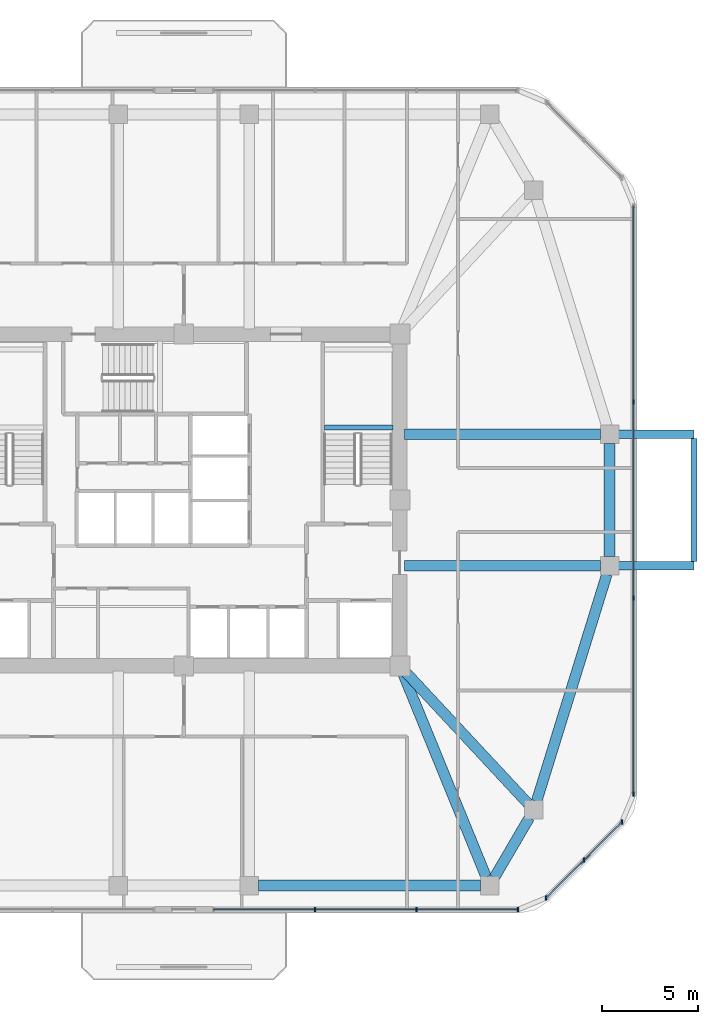
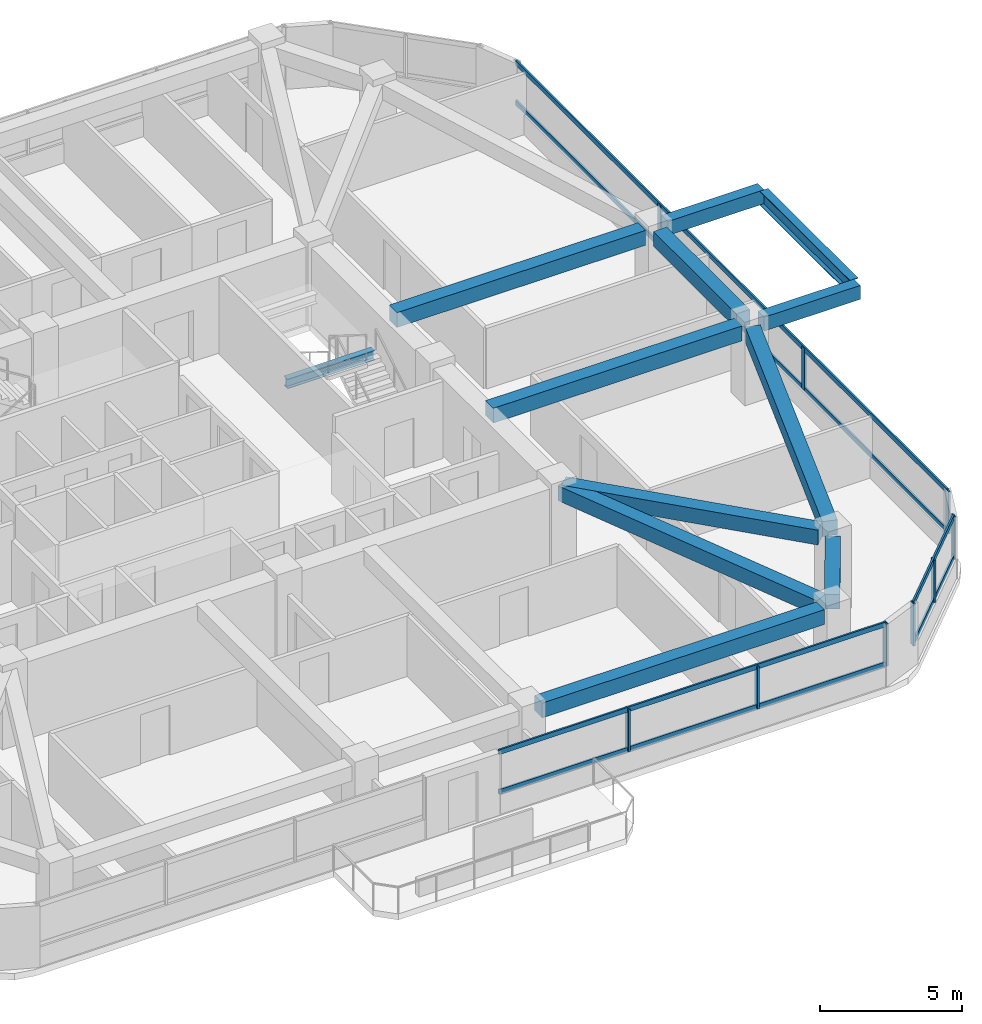
# One storey, part 3 of 12: 15 members, 12 beams, 3 elements without a shape of their own.
"""IFC4 building model written with IfcOpenShell, lengths in metres."""

from ifc_helpers import new_model, si_unit, derived_unit, direction, frame, origin, origin_2d, place, context, subcontext, project, spatial, rectangle, i_section, extrude, material, material_profile, profile_set, type_object, element, aggregate, save


model = new_model("IFC4")

# Units and contexts
model_context = context("Model", 3, precision=1e-05, world=origin(), true_north=direction((0.0, 1.0)))
body_context = subcontext(model_context, "Body", "Model", "MODEL_VIEW")
ifc_project = project(units=[si_unit("LENGTHUNIT", "METRE"), si_unit("AREAUNIT", "SQUARE_METRE"), si_unit("VOLUMEUNIT", "CUBIC_METRE"), si_unit("PLANEANGLEUNIT", "RADIAN"), si_unit("MASSUNIT", "GRAM", prefix="KILO"), derived_unit("THERMALTRANSMITTANCEUNIT", [(si_unit("POWERUNIT", "WATT"), 1), (si_unit("LENGTHUNIT", "METRE"), -2), (si_unit("THERMODYNAMICTEMPERATUREUNIT", "KELVIN"), -1)])], contexts=[model_context])

# Site, building, storey
site_placement = place(None, origin())
site = spatial("IfcSite", under=ifc_project, at=site_placement, CompositionType="ELEMENT")
building_placement = place(site_placement, origin())
building = spatial("IfcBuilding", under=site, at=building_placement, Name="Koralith Skygarden Medical Center", CompositionType="ELEMENT")
storey_placement = place(building_placement, frame((0.0, 0.0, 152.820068359375)))
storey = spatial("IfcBuildingStorey", under=building, at=storey_placement, Name="L39", CompositionType="ELEMENT", Elevation=152.820068359375)

# Curtain wall, members
ifc_material_1 = material(Name="Clear Laminated Glass", Category="glass")
curtain_wall_type = type_object("IfcCurtainWallType", Name="CW-4 Zone 3 Waist High-Wind Curtain Wall", PredefinedType="NOTDEFINED", material=ifc_material_1)
curtain_wall_1_placement = place(storey_placement, origin())
curtain_wall_1 = element("IfcCurtainWall", 1, at=curtain_wall_1_placement, inside=storey, type_object=curtain_wall_type, Name="Curtain Wall CW-L39-S-R", PredefinedType="NOTDEFINED")
ifc_material_2 = material(Name="Aluminium 6063-T6", Category="aluminium")
ifc_material_profile_1 = material_profile(ifc_material_2, rectangle(XDim=0.076904296875, YDim=0.22998046875, at=origin_2d()), Name="MUL77X230")
ifc_profile_set_1 = profile_set([ifc_material_profile_1], Name="Aluminium 6063-T6")
member_type_1 = type_object("IfcMemberType", Name="CW-4 Extruded Mullion 77x230", PredefinedType="MULLION", material=ifc_profile_set_1)
member_1_placement = place(storey_placement, frame((43.802001953125, 4.679931640625, 0.849853515625), z_axis=(0.0, 0.0, 1.0), x_axis=(1.0, 0.0, 0.0)))
member_1 = element("IfcMember", 2, at=member_1_placement, type_object=member_type_1, Name="CW-L39-S-R Mullion 2", PredefinedType="MULLION", context=body_context, shape_type="SweptSolid", body=[
    extrude(rectangle(XDim=0.076904296875, YDim=0.22998046875, at=origin_2d()), origin(), (0.0, 0.0, 1.0), 1.820068359375),
])
member_2_placement = place(storey_placement, frame((49.06591796875, 4.679931640625, 0.849853515625), z_axis=(0.0, 0.0, 1.0), x_axis=(1.0, 0.0, 0.0)))
member_2 = element("IfcMember", 3, at=member_2_placement, type_object=member_type_1, Name="CW-L39-S-R Mullion 3", PredefinedType="MULLION", context=body_context, shape_type="SweptSolid", body=[
    extrude(rectangle(XDim=0.076904296875, YDim=0.22998046875, at=origin_2d()), origin(), (0.0, 0.0, 1.0), 1.820068359375),
])
member_3_placement = place(storey_placement, frame((54.3291015625, 4.679931640625, 0.849853515625), z_axis=(0.0, 0.0, 1.0), x_axis=(1.0, 0.0, 0.0)))
member_3 = element("IfcMember", 4, at=member_3_placement, type_object=member_type_1, Name="CW-L39-S-R Mullion 4", PredefinedType="MULLION", context=body_context, shape_type="SweptSolid", body=[
    extrude(rectangle(XDim=0.076904296875, YDim=0.22998046875, at=origin_2d()), origin(), (0.0, 0.0, 1.0), 1.820068359375),
])

curtain_wall_2_placement = place(storey_placement, origin())
curtain_wall_2 = element("IfcCurtainWall", 5, at=curtain_wall_2_placement, inside=storey, type_object=curtain_wall_type, Name="Curtain Wall CW-L39-SE", PredefinedType="NOTDEFINED")
member_4_placement = place(storey_placement, frame((55.780029296875, 5.281005859375, 0.849853515625), z_axis=(0.0, 0.0, 1.0), x_axis=(1.0, 0.0, 0.0)))
member_4 = element("IfcMember", 6, at=member_4_placement, type_object=member_type_1, Name="CW-L39-SE Mullion 1", PredefinedType="MULLION", context=body_context, shape_type="SweptSolid", body=[
    extrude(rectangle(XDim=0.076904296875, YDim=0.22998046875, at=origin_2d()), origin(), (0.0, 0.0, 1.0), 1.820068359375),
])
member_5_placement = place(storey_placement, frame((57.741943359375, 7.241943359375, 0.849853515625), z_axis=(0.0, 0.0, 1.0), x_axis=(1.0, 0.0, 0.0)))
member_5 = element("IfcMember", 7, at=member_5_placement, type_object=member_type_1, Name="CW-L39-SE Mullion 2", PredefinedType="MULLION", context=body_context, shape_type="SweptSolid", body=[
    extrude(rectangle(XDim=0.076904296875, YDim=0.22998046875, at=origin_2d()), origin(), (0.0, 0.0, 1.0), 1.820068359375),
])
member_6_placement = place(storey_placement, frame((59.702880859375, 9.2041015625, 0.849853515625), z_axis=(0.0, 0.0, 1.0), x_axis=(1.0, 0.0, 0.0)))
member_6 = element("IfcMember", 8, at=member_6_placement, type_object=member_type_1, Name="CW-L39-SE Mullion 3", PredefinedType="MULLION", context=body_context, shape_type="SweptSolid", body=[
    extrude(rectangle(XDim=0.076904296875, YDim=0.22998046875, at=origin_2d()), origin(), (0.0, 0.0, 1.0), 1.820068359375),
])

curtain_wall_3_placement = place(storey_placement, origin())
curtain_wall_3 = element("IfcCurtainWall", 9, at=curtain_wall_3_placement, inside=storey, type_object=curtain_wall_type, Name="Curtain Wall CW-L39-E", PredefinedType="NOTDEFINED")
member_7_placement = place(storey_placement, frame((60.303955078125, 10.655029296875, 0.849853515625), z_axis=(0.0, 0.0, 1.0), x_axis=(1.0, 0.0, 0.0)))
member_7 = element("IfcMember", 10, at=member_7_placement, type_object=member_type_1, Name="CW-L39-E Mullion 1", PredefinedType="MULLION", context=body_context, shape_type="SweptSolid", body=[
    extrude(rectangle(XDim=0.076904296875, YDim=0.22998046875, at=origin_2d()), origin(), (0.0, 0.0, 1.0), 1.820068359375),
])
member_8_placement = place(storey_placement, frame((60.303955078125, 20.818115234375, 0.849853515625), z_axis=(0.0, 0.0, 1.0), x_axis=(1.0, 0.0, 0.0)))
member_8 = element("IfcMember", 11, at=member_8_placement, type_object=member_type_1, Name="CW-L39-E Mullion 2", PredefinedType="MULLION", context=body_context, shape_type="SweptSolid", body=[
    extrude(rectangle(XDim=0.076904296875, YDim=0.22998046875, at=origin_2d()), origin(), (0.0, 0.0, 1.0), 1.820068359375),
])
member_9_placement = place(storey_placement, frame((60.303955078125, 30.98193359375, 0.849853515625), z_axis=(0.0, 0.0, 1.0), x_axis=(1.0, 0.0, 0.0)))
member_9 = element("IfcMember", 12, at=member_9_placement, type_object=member_type_1, Name="CW-L39-E Mullion 3", PredefinedType="MULLION", context=body_context, shape_type="SweptSolid", body=[
    extrude(rectangle(XDim=0.076904296875, YDim=0.22998046875, at=origin_2d()), origin(), (0.0, 0.0, 1.0), 1.820068359375),
])

# Member
ifc_material_profile_2 = material_profile(ifc_material_2, rectangle(XDim=0.072021484375, YDim=0.20703125, at=origin_2d()), Name="TRN72X207")
ifc_profile_set_2 = profile_set([ifc_material_profile_2], Name="Aluminium 6063-T6")
member_type_2 = type_object("IfcMemberType", Name="CW-4 Thermal Transom 72x207", PredefinedType="USERDEFINED", material=ifc_profile_set_2)
member_10_placement = place(storey_placement, frame((38.5390625, 4.679931640625, 0.89990234375), z_axis=(1.0, 0.0, 0.0), x_axis=(0.0, 1.0, 0.0)))
member_10 = element("IfcMember", 13, at=member_10_placement, type_object=member_type_2, Name="CW-L39-S-R Transom 1", ObjectType="TRANSOM", PredefinedType="USERDEFINED", context=body_context, shape_type="SweptSolid", body=[
    extrude(rectangle(XDim=0.072021484375, YDim=0.20703125, at=origin_2d()), origin(), (0.0, 0.0, 1.0), 15.7900390625),
])

member_11_placement = place(storey_placement, frame((38.5390625, 4.679931640625, 2.619873046875), z_axis=(1.0, 0.0, 0.0), x_axis=(0.0, 1.0, 0.0)))
member_11 = element("IfcMember", 14, at=member_11_placement, type_object=member_type_2, Name="CW-L39-S-R Transom 2", ObjectType="TRANSOM", PredefinedType="USERDEFINED", context=body_context, shape_type="SweptSolid", body=[
    extrude(rectangle(XDim=0.072021484375, YDim=0.20703125, at=origin_2d()), origin(), (0.0, 0.0, 1.0), 15.7900390625),
])

aggregate(curtain_wall_1, [member_1, member_2, member_3, member_10, member_11])

member_12_placement = place(storey_placement, frame((55.780029296875, 5.281005859375, 0.89990234375), z_axis=(0.707084777957, 0.707128783731, 0.0), x_axis=(-0.707128783731, 0.707084777957, 0.0)))
member_12 = element("IfcMember", 15, at=member_12_placement, type_object=member_type_2, Name="CW-L39-SE Transom 1", ObjectType="TRANSOM", PredefinedType="USERDEFINED", context=body_context, shape_type="SweptSolid", body=[
    extrude(rectangle(XDim=0.072021484375, YDim=0.20703125, at=origin_2d()), origin(), (0.0, 0.0, 1.0), 5.5478515625),
])

member_13_placement = place(storey_placement, frame((55.780029296875, 5.281005859375, 2.619873046875), z_axis=(0.707084777957, 0.707128783731, 0.0), x_axis=(-0.707128783731, 0.707084777957, 0.0)))
member_13 = element("IfcMember", 16, at=member_13_placement, type_object=member_type_2, Name="CW-L39-SE Transom 2", ObjectType="TRANSOM", PredefinedType="USERDEFINED", context=body_context, shape_type="SweptSolid", body=[
    extrude(rectangle(XDim=0.072021484375, YDim=0.20703125, at=origin_2d()), origin(), (0.0, 0.0, 1.0), 5.5478515625),
])

aggregate(curtain_wall_2, [member_4, member_5, member_6, member_12, member_13])

member_14_placement = place(storey_placement, frame((60.303955078125, 10.655029296875, 0.89990234375), z_axis=(0.0, 1.0, 0.0), x_axis=(-1.0, 0.0, 0.0)))
member_14 = element("IfcMember", 17, at=member_14_placement, type_object=member_type_2, Name="CW-L39-E Transom 1", ObjectType="TRANSOM", PredefinedType="USERDEFINED", context=body_context, shape_type="SweptSolid", body=[
    extrude(rectangle(XDim=0.072021484375, YDim=0.20703125, at=origin_2d()), origin(), (0.0, 0.0, 1.0), 30.489990234375),
])

member_15_placement = place(storey_placement, frame((60.303955078125, 10.655029296875, 2.619873046875), z_axis=(0.0, 1.0, 0.0), x_axis=(-1.0, 0.0, 0.0)))
member_15 = element("IfcMember", 18, at=member_15_placement, type_object=member_type_2, Name="CW-L39-E Transom 2", ObjectType="TRANSOM", PredefinedType="USERDEFINED", context=body_context, shape_type="SweptSolid", body=[
    extrude(rectangle(XDim=0.072021484375, YDim=0.20703125, at=origin_2d()), origin(), (0.0, 0.0, 1.0), 30.489990234375),
])

aggregate(curtain_wall_3, [member_7, member_8, member_9, member_14, member_15])

# Beams
ifc_material_3 = material(Name="Steel ASTM A992 Grade 50", Category="steel")
ifc_material_profile_3 = material_profile(ifc_material_3, i_section(OverallWidth=0.326904296875, OverallDepth=0.6220703125, WebThickness=0.015380859375, FlangeThickness=0.0244140625, at=origin_2d()), Name="W24X131")
ifc_profile_set_3 = profile_set([ifc_material_profile_3], Name="Steel ASTM A992 Grade 50")
beam_type_1 = type_object("IfcBeamType", Name="Cantilever Tie Beam W24X131", PredefinedType="BEAM", material=ifc_profile_set_3)
beam_1_placement = place(storey_placement, frame((63.444091796875, 22.719970703125, 3.029052734375), z_axis=(0.0, 1.0, 0.0), x_axis=(-1.0, 0.0, 0.0)))
element("IfcBeam", 19, at=beam_1_placement, inside=storey, type_object=beam_type_1, Name="L40 E Balcony Tip Tie Beam", PredefinedType="BEAM", context=body_context, shape_type="SweptSolid", body=[
    extrude(i_section(OverallWidth=0.326904296875, OverallDepth=0.6220703125, WebThickness=0.015380859375, FlangeThickness=0.0244140625, at=origin_2d()), origin(), (0.0, 0.0, 1.0), 6.360107421875),
])
ifc_material_profile_4 = material_profile(ifc_material_3, i_section(OverallWidth=0.260009765625, OverallDepth=0.4150390625, WebThickness=0.010009765625, FlangeThickness=0.016845703125, at=origin_2d()), Name="W16X67")
ifc_profile_set_4 = profile_set([ifc_material_profile_4], Name="Steel ASTM A992 Grade 50")
beam_type_2 = type_object("IfcBeamType", Name="Clinical Floor Joist W16X67", PredefinedType="JOIST", material=ifc_profile_set_4)
beam_2_placement = place(storey_placement, frame((44.280029296875, 29.659912109375, 1.392822265625), z_axis=(1.0, 0.0, 0.0), x_axis=(0.0, 1.0, 0.0)))
element("IfcBeam", 20, at=beam_2_placement, inside=storey, type_object=beam_type_2, Name="L39 Stair ST2 Half-Landing Support Beam 1A", PredefinedType="JOIST", context=body_context, shape_type="SweptSolid", body=[
    extrude(i_section(OverallWidth=0.260009765625, OverallDepth=0.4150390625, WebThickness=0.010009765625, FlangeThickness=0.016845703125, at=origin_2d()), origin(), (0.0, 0.0, 1.0), 3.56494140625),
])
ifc_material_4 = material(Name="Concrete C45/55", Category="concrete")
ifc_material_profile_5 = material_profile(ifc_material_4, rectangle(XDim=0.449951171875, YDim=0.60009765625, at=origin_2d()), Name="RCB450X600")
ifc_profile_set_5 = profile_set([ifc_material_profile_5], Name="Concrete C45/55")
beam_type_3 = type_object("IfcBeamType", Name="Planted Balcony Cantilever Beam RCB450X600", PredefinedType="BEAM", material=ifc_profile_set_5)
for number, where, z_axis, x_axis, name in (
    (21, (59.52392578125, 22.5, 3.0400390625), (1.0, 0.0, 0.0), (0.0, 1.0, 0.0), "L40 E Balcony Cantilever Beam A"),
    (22, (59.52392578125, 29.300048828125, 3.0400390625), (1.0, 0.0, 0.0), (0.0, 1.0, 0.0), "L40 E Balcony Cantilever Beam B"),
):
    element("IfcBeam", number, at=place(storey_placement, frame(where, z_axis=z_axis, x_axis=x_axis)), inside=storey, type_object=beam_type_3, Name=name, PredefinedType="BEAM", context=body_context, shape_type="SweptSolid", body=[
        extrude(rectangle(XDim=0.449951171875, YDim=0.60009765625, at=origin_2d()), origin(), (0.0, 0.0, 1.0), 3.920166015625),
    ])
ifc_material_profile_6 = material_profile(ifc_material_4, rectangle(XDim=0.550048828125, YDim=0.639892578125, at=origin_2d()), Name="RCB550X640")
ifc_profile_set_6 = profile_set([ifc_material_profile_6], Name="Concrete C45/55")
beam_type_4 = type_object("IfcBeamType", Name="Radial Collector Beam RCB550X640", PredefinedType="BEAM", material=ifc_profile_set_6)
beam_3_placement = place(storey_placement, frame((48.294921875, 17.069091796875, 3.0), z_axis=(0.378344544364, -0.92566484526, 0.0), x_axis=(0.92566484526, 0.378344544364, 0.0)))
element("IfcBeam", 23, at=beam_3_placement, inside=storey, type_object=beam_type_4, Name="L39 Radial Collector Beam RB-06", PredefinedType="BEAM", context=body_context, shape_type="SweptSolid", body=[
    extrude(rectangle(XDim=0.550048828125, YDim=0.639892578125, at=origin_2d()), origin(), (0.0, 0.0, 1.0), 11.574462890625),
])
beam_4_placement = place(storey_placement, frame((48.3701171875, 17.116943359375, 3.0), z_axis=(0.681369011591, -0.731940072713, 0.0), x_axis=(0.731940072713, 0.681369011591, 0.0)))
element("IfcBeam", 24, at=beam_4_placement, inside=storey, type_object=beam_type_4, Name="L39 Radial Collector Beam RB-07", PredefinedType="BEAM", context=body_context, shape_type="SweptSolid", body=[
    extrude(rectangle(XDim=0.550048828125, YDim=0.639892578125, at=origin_2d()), origin(), (0.0, 0.0, 1.0), 9.471923828125),
])
for number, where, z_axis, x_axis, name in (
    (25, (48.449951171875, 22.5, 3.0), (1.0, 0.0, 0.0), (0.0, 1.0, 0.0), "L39 Radial Collector Beam RB-08"),
    (26, (48.449951171875, 29.300048828125, 3.0), (1.0, 0.0, 0.0), (0.0, 1.0, 0.0), "L39 Radial Collector Beam RB-09"),
):
    element("IfcBeam", number, at=place(storey_placement, frame(where, z_axis=z_axis, x_axis=x_axis)), inside=storey, type_object=beam_type_4, Name=name, PredefinedType="BEAM", context=body_context, shape_type="SweptSolid", body=[
        extrude(rectangle(XDim=0.550048828125, YDim=0.639892578125, at=origin_2d()), origin(), (0.0, 0.0, 1.0), 10.14404296875),
    ])
ifc_material_profile_7 = material_profile(ifc_material_4, rectangle(XDim=0.550048828125, YDim=0.639892578125, at=origin_2d()), Name="RCB550X640")
ifc_profile_set_7 = profile_set([ifc_material_profile_7], Name="Concrete C45/55")
beam_type_5 = type_object("IfcBeamType", Name="Zone 2-3 Spandrel Beam RCB550X640", PredefinedType="SPANDREL", material=ifc_profile_set_7)
beam_5_placement = place(storey_placement, frame((40.8701171875, 5.919921875, 3.0), z_axis=(1.0, 0.0, 0.0), x_axis=(0.0, 1.0, 0.0)))
element("IfcBeam", 27, at=beam_5_placement, inside=storey, type_object=beam_type_5, Name="L39 Perimeter Spandrel Beam SP-05", PredefinedType="SPANDREL", context=body_context, shape_type="SweptSolid", body=[
    extrude(rectangle(XDim=0.550048828125, YDim=0.639892578125, at=origin_2d()), origin(), (0.0, 0.0, 1.0), 11.511962890625),
])
beam_6_placement = place(storey_placement, frame((53.089111328125, 6.325927734375, 3.0), z_axis=(0.504861391295, 0.863200426077, 0.0), x_axis=(-0.863200426077, 0.504861391295, 0.0)))
element("IfcBeam", 28, at=beam_6_placement, inside=storey, type_object=beam_type_5, Name="L39 Perimeter Spandrel Beam SP-06", PredefinedType="SPANDREL", context=body_context, shape_type="SweptSolid", body=[
    extrude(rectangle(XDim=0.550048828125, YDim=0.639892578125, at=origin_2d()), origin(), (0.0, 0.0, 1.0), 3.600830078125),
])
beam_7_placement = place(storey_placement, frame((55.282958984375, 10.2890625, 3.0), z_axis=(0.295793585147, 0.955251880389, 0.0), x_axis=(-0.955251880389, 0.295793585147, 0.0)))
element("IfcBeam", 29, at=beam_7_placement, inside=storey, type_object=beam_type_5, Name="L39 Perimeter Spandrel Beam SP-07", PredefinedType="SPANDREL", context=body_context, shape_type="SweptSolid", body=[
    extrude(rectangle(XDim=0.550048828125, YDim=0.639892578125, at=origin_2d()), origin(), (0.0, 0.0, 1.0), 12.31298828125),
])
beam_8_placement = place(storey_placement, frame((59.06396484375, 22.969970703125, 3.0), z_axis=(0.0, 1.0, 0.0), x_axis=(-1.0, 0.0, 0.0)))
element("IfcBeam", 30, at=beam_8_placement, inside=storey, type_object=beam_type_5, Name="L39 Perimeter Spandrel Beam SP-08", PredefinedType="SPANDREL", context=body_context, shape_type="SweptSolid", body=[
    extrude(rectangle(XDim=0.550048828125, YDim=0.639892578125, at=origin_2d()), origin(), (0.0, 0.0, 1.0), 5.860107421875),
])

save(model, "model.ifc")
